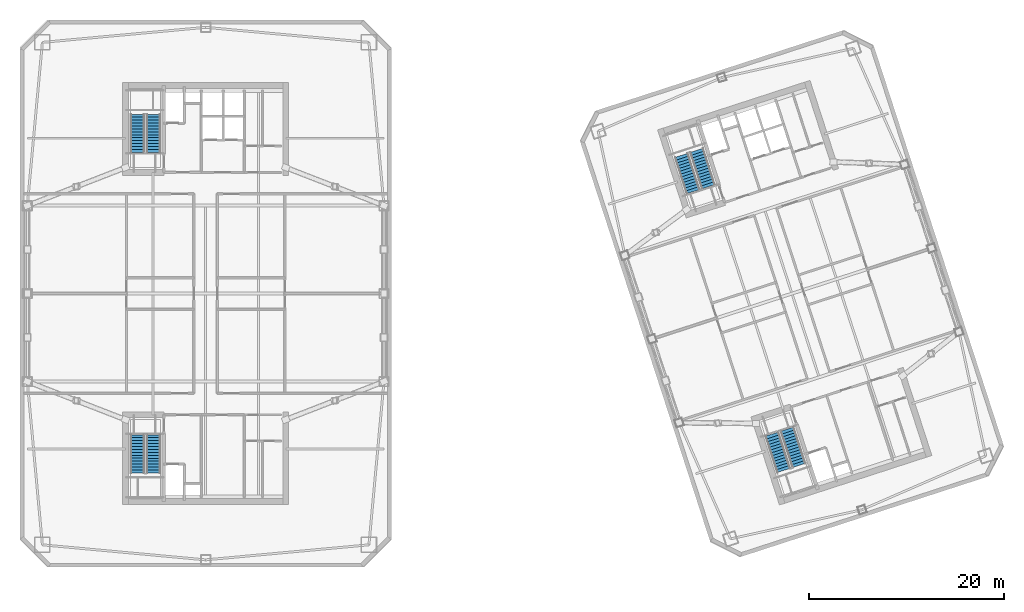
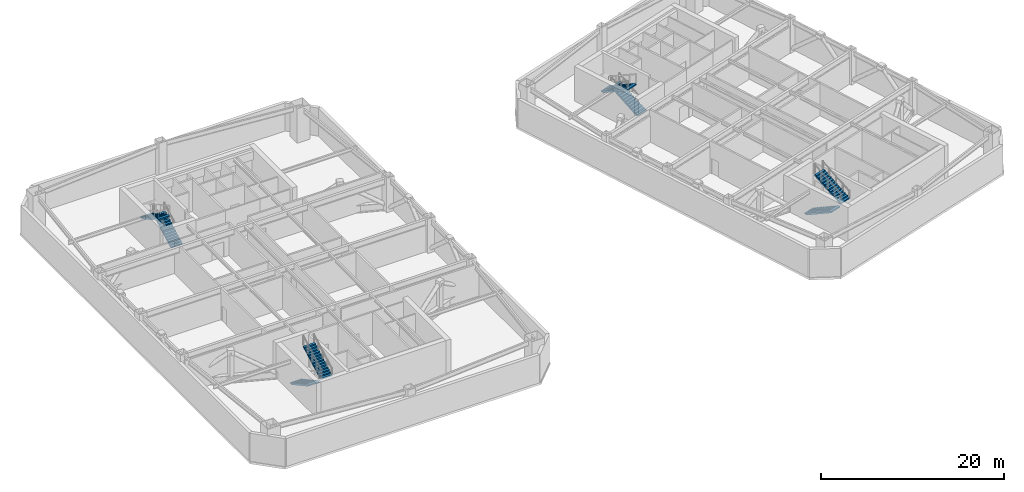
# One storey, part 12 of 14: 8 stair flights, 4 elements without a shape of their own.
"""IFC4 building model written with IfcOpenShell, lengths in metres."""

from ifc_helpers import new_model, si_unit, direction, frame, origin, place, context, subcontext, project, spatial, polyline, outline, extrude, material, type_object, element, aggregate, save


model = new_model("IFC4")

# Units and contexts
model_context = context("Model", 3, precision=1e-05, world=origin(), true_north=direction((0.0, 1.0)))
body_context = subcontext(model_context, "Body", "Model", "MODEL_VIEW")
ifc_project = project(units=[si_unit("LENGTHUNIT", "METRE"), si_unit("AREAUNIT", "SQUARE_METRE"), si_unit("VOLUMEUNIT", "CUBIC_METRE"), si_unit("PLANEANGLEUNIT", "RADIAN"), si_unit("MASSUNIT", "GRAM", prefix="KILO")], contexts=[model_context])

# Site, building, storey
site_placement = place(None, origin())
site = spatial("IfcSite", under=ifc_project, at=site_placement, CompositionType="ELEMENT")
building_placement = place(site_placement, origin())
building = spatial("IfcBuilding", under=site, at=building_placement, Name="Qiaolan Cultural Towers", CompositionType="ELEMENT")
storey_placement = place(building_placement, frame((0.0, 0.0, 138.0)))
storey = spatial("IfcBuildingStorey", under=building, at=storey_placement, Name="L36", CompositionType="ELEMENT", Elevation=138.0)

# Stair, stair flights
ifc_material_1 = material(Name="Concrete C45", Category="concrete")
stair_type = type_object("IfcStairType", Name="STR-CORE-1500", PredefinedType="HALF_TURN_STAIR", material=ifc_material_1)
stair_1_placement = place(storey_placement, origin())
stair_1 = element("IfcStair", 1, at=stair_1_placement, inside=storey, type_object=stair_type, Name="L36 Smokeproof Exit Stair ST-W1", PredefinedType="HALF_TURN_STAIR")
ifc_material_2 = material(Name="Concrete C45", Category="concrete")
stair_flight_type = type_object("IfcStairFlightType", Name="STR-CORE-1500-FL", PredefinedType="STRAIGHT", material=ifc_material_2)
stair_flight_1_placement = place(storey_placement, frame((23.02001953125, 19.550048828125, 0.0), z_axis=(0.0, 0.0, 1.0), x_axis=(0.0, -1.0, 0.0)))
stair_flight_1 = element("IfcStairFlight", 2, at=stair_flight_1_placement, type_object=stair_flight_type, Name="ST-W1 flight 1", NumberOfRisers=14, NumberOfTreads=13, PredefinedType="STRAIGHT", RiserHeight=0.164285714, TreadLength=0.3, context=body_context, shape_type="SweptSolid", body=[
    extrude(outline(polyline([(0.0, 0.0), (0.0, 0.164306640625), (0.300048828125, 0.164306640625), (0.300048828125, 0.32861328125), (0.60009765625, 0.32861328125), (0.60009765625, 0.492919921875), (0.89990234375, 0.492919921875), (0.89990234375, 0.6572265625), (1.199951171875, 0.6572265625), (1.199951171875, 0.821533203125), (1.5, 0.821533203125), (1.5, 0.985595703125), (1.800048828125, 0.985595703125), (1.800048828125, 1.14990234375), (2.10009765625, 1.14990234375), (2.10009765625, 1.314208984375), (2.39990234375, 1.314208984375), (2.39990234375, 1.478515625), (2.699951171875, 1.478515625), (2.699951171875, 1.642822265625), (3.0, 1.642822265625), (3.0, 1.80712890625), (3.300048828125, 1.80712890625), (3.300048828125, 1.971435546875), (3.60009765625, 1.971435546875), (3.60009765625, 2.1357421875), (3.89990234375, 2.1357421875), (3.89990234375, 2.300048828125), (3.89990234375, 1.96484375), (0.31201171875, 0.0), (0.0, 0.0)])), frame((0.0, 0.719970703125, 0.0), z_axis=(0.0, -1.0, 0.0), x_axis=(1.0, 0.0, 0.0)), (0.0, 0.0, 1.0), 1.43994140625),
])
stair_flight_2_placement = place(storey_placement, frame((24.659912109375, 15.64990234375, 2.300048828125), z_axis=(0.0, 0.0, 1.0), x_axis=(0.0, 1.0, 0.0)))
stair_flight_2 = element("IfcStairFlight", 3, at=stair_flight_2_placement, type_object=stair_flight_type, Name="ST-W1 flight 2", NumberOfRisers=14, NumberOfTreads=13, PredefinedType="STRAIGHT", RiserHeight=0.164285714, TreadLength=0.3, context=body_context, shape_type="SweptSolid", body=[
    extrude(outline(polyline([(0.0, 0.0), (0.0, 0.164306640625), (0.300048828125, 0.164306640625), (0.300048828125, 0.32861328125), (0.60009765625, 0.32861328125), (0.60009765625, 0.492919921875), (0.89990234375, 0.492919921875), (0.89990234375, 0.6572265625), (1.199951171875, 0.6572265625), (1.199951171875, 0.821533203125), (1.5, 0.821533203125), (1.5, 0.985595703125), (1.800048828125, 0.985595703125), (1.800048828125, 1.14990234375), (2.10009765625, 1.14990234375), (2.10009765625, 1.314208984375), (2.39990234375, 1.314208984375), (2.39990234375, 1.478515625), (2.699951171875, 1.478515625), (2.699951171875, 1.642822265625), (3.0, 1.642822265625), (3.0, 1.80712890625), (3.300048828125, 1.80712890625), (3.300048828125, 1.971435546875), (3.60009765625, 1.971435546875), (3.60009765625, 2.1357421875), (3.89990234375, 2.1357421875), (3.89990234375, 2.300048828125), (3.89990234375, 1.96484375), (0.31201171875, 0.0), (0.0, 0.0)])), frame((0.0, 0.719970703125, 0.0), z_axis=(0.0, -1.0, 0.0), x_axis=(1.0, 0.0, 0.0)), (0.0, 0.0, 1.0), 1.43994140625),
])
aggregate(stair_1, [stair_flight_1, stair_flight_2])

stair_2_placement = place(storey_placement, origin())
stair_2 = element("IfcStair", 4, at=stair_2_placement, inside=storey, type_object=stair_type, Name="L36 Smokeproof Exit Stair ST-W2", PredefinedType="HALF_TURN_STAIR")
stair_flight_3_placement = place(storey_placement, frame((24.659912109375, 48.449951171875, 0.0), z_axis=(0.0, 0.0, 1.0), x_axis=(0.0, 1.0, 0.0)))
stair_flight_3 = element("IfcStairFlight", 5, at=stair_flight_3_placement, type_object=stair_flight_type, Name="ST-W2 flight 1", NumberOfRisers=14, NumberOfTreads=13, PredefinedType="STRAIGHT", RiserHeight=0.164285714, TreadLength=0.3, context=body_context, shape_type="SweptSolid", body=[
    extrude(outline(polyline([(0.0, 0.0), (0.0, 0.164306640625), (0.300048828125, 0.164306640625), (0.300048828125, 0.32861328125), (0.60009765625, 0.32861328125), (0.60009765625, 0.492919921875), (0.89990234375, 0.492919921875), (0.89990234375, 0.6572265625), (1.199951171875, 0.6572265625), (1.199951171875, 0.821533203125), (1.5, 0.821533203125), (1.5, 0.985595703125), (1.800048828125, 0.985595703125), (1.800048828125, 1.14990234375), (2.10009765625, 1.14990234375), (2.10009765625, 1.314208984375), (2.39990234375, 1.314208984375), (2.39990234375, 1.478515625), (2.699951171875, 1.478515625), (2.699951171875, 1.642822265625), (3.0, 1.642822265625), (3.0, 1.80712890625), (3.300048828125, 1.80712890625), (3.300048828125, 1.971435546875), (3.60009765625, 1.971435546875), (3.60009765625, 2.1357421875), (3.89990234375, 2.1357421875), (3.89990234375, 2.300048828125), (3.89990234375, 1.96484375), (0.31201171875, 0.0), (0.0, 0.0)])), frame((0.0, 0.719970703125, 0.0), z_axis=(0.0, -1.0, 0.0), x_axis=(1.0, 0.0, 0.0)), (0.0, 0.0, 1.0), 1.43994140625),
])
stair_flight_4_placement = place(storey_placement, frame((23.02001953125, 52.35009765625, 2.300048828125), z_axis=(0.0, 0.0, 1.0), x_axis=(0.0, -1.0, 0.0)))
stair_flight_4 = element("IfcStairFlight", 6, at=stair_flight_4_placement, type_object=stair_flight_type, Name="ST-W2 flight 2", NumberOfRisers=14, NumberOfTreads=13, PredefinedType="STRAIGHT", RiserHeight=0.164285714, TreadLength=0.3, context=body_context, shape_type="SweptSolid", body=[
    extrude(outline(polyline([(0.0, 0.0), (0.0, 0.164306640625), (0.300048828125, 0.164306640625), (0.300048828125, 0.32861328125), (0.60009765625, 0.32861328125), (0.60009765625, 0.492919921875), (0.89990234375, 0.492919921875), (0.89990234375, 0.6572265625), (1.199951171875, 0.6572265625), (1.199951171875, 0.821533203125), (1.5, 0.821533203125), (1.5, 0.985595703125), (1.800048828125, 0.985595703125), (1.800048828125, 1.14990234375), (2.10009765625, 1.14990234375), (2.10009765625, 1.314208984375), (2.39990234375, 1.314208984375), (2.39990234375, 1.478515625), (2.699951171875, 1.478515625), (2.699951171875, 1.642822265625), (3.0, 1.642822265625), (3.0, 1.80712890625), (3.300048828125, 1.80712890625), (3.300048828125, 1.971435546875), (3.60009765625, 1.971435546875), (3.60009765625, 2.1357421875), (3.89990234375, 2.1357421875), (3.89990234375, 2.300048828125), (3.89990234375, 1.96484375), (0.31201171875, 0.0), (0.0, 0.0)])), frame((0.0, 0.719970703125, 0.0), z_axis=(0.0, -1.0, 0.0), x_axis=(1.0, 0.0, 0.0)), (0.0, 0.0, 1.0), 1.43994140625),
])
aggregate(stair_2, [stair_flight_3, stair_flight_4])

stair_3_placement = place(storey_placement, origin())
stair_3 = element("IfcStair", 7, at=stair_3_placement, inside=storey, type_object=stair_type, Name="L36 Smokeproof Exit Stair ST-E1", PredefinedType="HALF_TURN_STAIR")
stair_flight_5_placement = place(storey_placement, frame((87.96484375, 19.6171875, 0.0), z_axis=(0.0, 0.0, 1.0), x_axis=(0.309016994375, -0.951056516295, 0.0)))
stair_flight_5 = element("IfcStairFlight", 8, at=stair_flight_5_placement, type_object=stair_flight_type, Name="ST-E1 flight 1", NumberOfRisers=14, NumberOfTreads=13, PredefinedType="STRAIGHT", RiserHeight=0.164285714, TreadLength=0.3, context=body_context, shape_type="SweptSolid", body=[
    extrude(outline(polyline([(0.0, 0.0), (0.0, 0.164306640625), (0.300048828125, 0.164306640625), (0.300048828125, 0.32861328125), (0.60009765625, 0.32861328125), (0.60009765625, 0.492919921875), (0.89990234375, 0.492919921875), (0.89990234375, 0.6572265625), (1.199951171875, 0.6572265625), (1.199951171875, 0.821533203125), (1.5, 0.821533203125), (1.5, 0.985595703125), (1.800048828125, 0.985595703125), (1.800048828125, 1.14990234375), (2.10009765625, 1.14990234375), (2.10009765625, 1.314208984375), (2.39990234375, 1.314208984375), (2.39990234375, 1.478515625), (2.699951171875, 1.478515625), (2.699951171875, 1.642822265625), (3.0, 1.642822265625), (3.0, 1.80712890625), (3.300048828125, 1.80712890625), (3.300048828125, 1.971435546875), (3.60009765625, 1.971435546875), (3.60009765625, 2.1357421875), (3.89990234375, 2.1357421875), (3.89990234375, 2.300048828125), (3.89990234375, 1.96484375), (0.31201171875, 0.0), (0.0, 0.0)])), frame((0.0, 0.719970703125, 0.0), z_axis=(0.0, -1.0, 0.0), x_axis=(1.0, 0.0, 0.0)), (0.0, 0.0, 1.0), 1.43994140625),
])
stair_flight_6_placement = place(storey_placement, frame((90.729736328125, 16.414794921875, 2.300048828125), z_axis=(0.0, 0.0, 1.0), x_axis=(-0.309016994375, 0.951056516295, 0.0)))
stair_flight_6 = element("IfcStairFlight", 9, at=stair_flight_6_placement, type_object=stair_flight_type, Name="ST-E1 flight 2", NumberOfRisers=14, NumberOfTreads=13, PredefinedType="STRAIGHT", RiserHeight=0.164285714, TreadLength=0.3, context=body_context, shape_type="SweptSolid", body=[
    extrude(outline(polyline([(0.0, 0.0), (0.0, 0.164306640625), (0.300048828125, 0.164306640625), (0.300048828125, 0.32861328125), (0.60009765625, 0.32861328125), (0.60009765625, 0.492919921875), (0.89990234375, 0.492919921875), (0.89990234375, 0.6572265625), (1.199951171875, 0.6572265625), (1.199951171875, 0.821533203125), (1.5, 0.821533203125), (1.5, 0.985595703125), (1.800048828125, 0.985595703125), (1.800048828125, 1.14990234375), (2.10009765625, 1.14990234375), (2.10009765625, 1.314208984375), (2.39990234375, 1.314208984375), (2.39990234375, 1.478515625), (2.699951171875, 1.478515625), (2.699951171875, 1.642822265625), (3.0, 1.642822265625), (3.0, 1.80712890625), (3.300048828125, 1.80712890625), (3.300048828125, 1.971435546875), (3.60009765625, 1.971435546875), (3.60009765625, 2.1357421875), (3.89990234375, 2.1357421875), (3.89990234375, 2.300048828125), (3.89990234375, 1.96484375), (0.31201171875, 0.0), (0.0, 0.0)])), frame((0.0, 0.719970703125, 0.0), z_axis=(0.0, -1.0, 0.0), x_axis=(1.0, 0.0, 0.0)), (0.0, 0.0, 1.0), 1.43994140625),
])
aggregate(stair_3, [stair_flight_5, stair_flight_6])

stair_4_placement = place(storey_placement, origin())
stair_4 = element("IfcStair", 10, at=stair_4_placement, inside=storey, type_object=stair_type, Name="L36 Smokeproof Exit Stair ST-E2", PredefinedType="HALF_TURN_STAIR")
stair_flight_7_placement = place(storey_placement, frame((81.459228515625, 44.946533203125, 0.0), z_axis=(0.0, 0.0, 1.0), x_axis=(-0.309016994375, 0.951056516295, 0.0)))
stair_flight_7 = element("IfcStairFlight", 11, at=stair_flight_7_placement, type_object=stair_flight_type, Name="ST-E2 flight 1", NumberOfRisers=14, NumberOfTreads=13, PredefinedType="STRAIGHT", RiserHeight=0.164285714, TreadLength=0.3, context=body_context, shape_type="SweptSolid", body=[
    extrude(outline(polyline([(0.0, 0.0), (0.0, 0.164306640625), (0.300048828125, 0.164306640625), (0.300048828125, 0.32861328125), (0.60009765625, 0.32861328125), (0.60009765625, 0.492919921875), (0.89990234375, 0.492919921875), (0.89990234375, 0.6572265625), (1.199951171875, 0.6572265625), (1.199951171875, 0.821533203125), (1.5, 0.821533203125), (1.5, 0.985595703125), (1.800048828125, 0.985595703125), (1.800048828125, 1.14990234375), (2.10009765625, 1.14990234375), (2.10009765625, 1.314208984375), (2.39990234375, 1.314208984375), (2.39990234375, 1.478515625), (2.699951171875, 1.478515625), (2.699951171875, 1.642822265625), (3.0, 1.642822265625), (3.0, 1.80712890625), (3.300048828125, 1.80712890625), (3.300048828125, 1.971435546875), (3.60009765625, 1.971435546875), (3.60009765625, 2.1357421875), (3.89990234375, 2.1357421875), (3.89990234375, 2.300048828125), (3.89990234375, 1.96484375), (0.31201171875, 0.0), (0.0, 0.0)])), frame((0.0, 0.719970703125, 0.0), z_axis=(0.0, -1.0, 0.0), x_axis=(1.0, 0.0, 0.0)), (0.0, 0.0, 1.0), 1.43994140625),
])
stair_flight_8_placement = place(storey_placement, frame((78.6943359375, 48.14892578125, 2.300048828125), z_axis=(0.0, 0.0, 1.0), x_axis=(0.309016994375, -0.951056516295, 0.0)))
stair_flight_8 = element("IfcStairFlight", 12, at=stair_flight_8_placement, type_object=stair_flight_type, Name="ST-E2 flight 2", NumberOfRisers=14, NumberOfTreads=13, PredefinedType="STRAIGHT", RiserHeight=0.164285714, TreadLength=0.3, context=body_context, shape_type="SweptSolid", body=[
    extrude(outline(polyline([(0.0, 0.0), (0.0, 0.164306640625), (0.300048828125, 0.164306640625), (0.300048828125, 0.32861328125), (0.60009765625, 0.32861328125), (0.60009765625, 0.492919921875), (0.89990234375, 0.492919921875), (0.89990234375, 0.6572265625), (1.199951171875, 0.6572265625), (1.199951171875, 0.821533203125), (1.5, 0.821533203125), (1.5, 0.985595703125), (1.800048828125, 0.985595703125), (1.800048828125, 1.14990234375), (2.10009765625, 1.14990234375), (2.10009765625, 1.314208984375), (2.39990234375, 1.314208984375), (2.39990234375, 1.478515625), (2.699951171875, 1.478515625), (2.699951171875, 1.642822265625), (3.0, 1.642822265625), (3.0, 1.80712890625), (3.300048828125, 1.80712890625), (3.300048828125, 1.971435546875), (3.60009765625, 1.971435546875), (3.60009765625, 2.1357421875), (3.89990234375, 2.1357421875), (3.89990234375, 2.300048828125), (3.89990234375, 1.96484375), (0.31201171875, 0.0), (0.0, 0.0)])), frame((0.0, 0.719970703125, 0.0), z_axis=(0.0, -1.0, 0.0), x_axis=(1.0, 0.0, 0.0)), (0.0, 0.0, 1.0), 1.43994140625),
])
aggregate(stair_4, [stair_flight_7, stair_flight_8])

save(model, "model.ifc")
